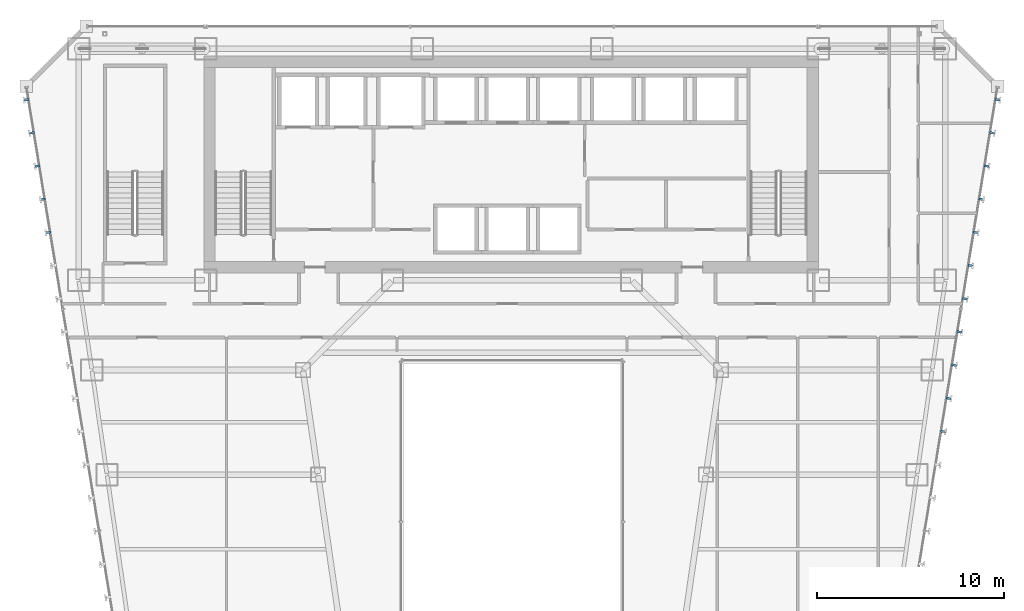
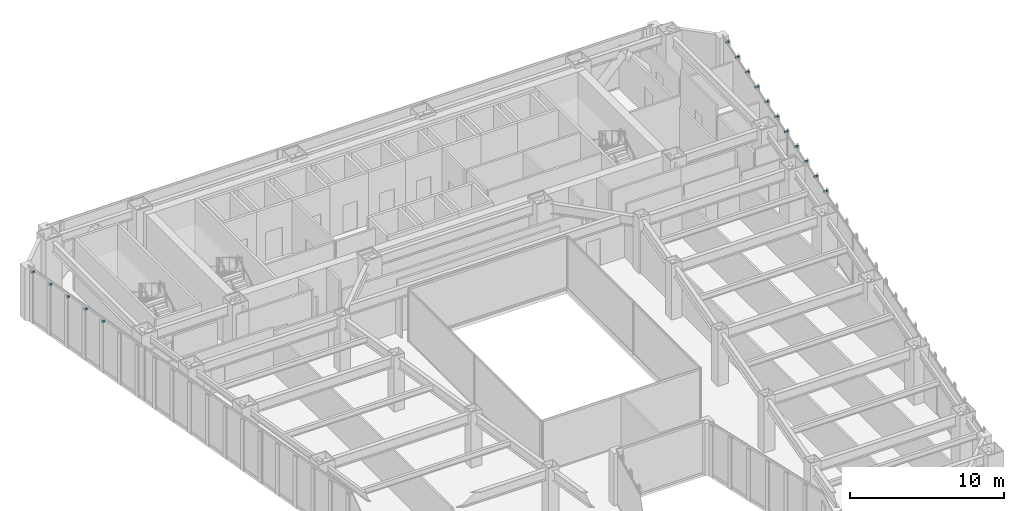
# One storey, part 40 of 47: 16 discrete accessories.
"""IFC4 building model written with IfcOpenShell, lengths in metres."""

from ifc_helpers import new_model, si_unit, direction, frame, origin, origin_2d, place, context, subcontext, project, spatial, rectangle, extrude, material, layer, layer_set, type_object, element, save


model = new_model("IFC4")

# Units and contexts
model_context = context("Model", 3, precision=1e-05, world=origin(), true_north=direction((0.0, 1.0)))
body_context = subcontext(model_context, "Body", "Model", "MODEL_VIEW")
ifc_project = project(units=[si_unit("LENGTHUNIT", "METRE"), si_unit("AREAUNIT", "SQUARE_METRE"), si_unit("VOLUMEUNIT", "CUBIC_METRE"), si_unit("PLANEANGLEUNIT", "RADIAN"), si_unit("MASSUNIT", "GRAM", prefix="KILO")], contexts=[model_context])

# Site, building, storey
site_placement = place(None, origin())
site = spatial("IfcSite", under=ifc_project, at=site_placement, CompositionType="ELEMENT")
building_placement = place(site_placement, origin())
building = spatial("IfcBuilding", under=site, at=building_placement, Name="Saevonmaru Cultural Tower", CompositionType="ELEMENT")
storey_placement = place(building_placement, frame((0.0, 0.0, 56.0)))
storey = spatial("IfcBuildingStorey", under=building, at=storey_placement, Name="L11", CompositionType="ELEMENT", Elevation=56.0)

# Discrete accessories
ifc_material = material(Name="Stainless Steel 316", Category="steel")
ifc_layer = layer(ifc_material, 0.1201171875, Name="Stainless Steel 316")
ifc_layer_set = layer_set([ifc_layer], Name="Stainless Steel 316")
discrete_accessory_type = type_object("IfcDiscreteAccessoryType", Name="ACC-FIN-BRKT", PredefinedType="BRACKET", material=ifc_layer_set)
for number, where, z_axis, x_axis, name in (
    (1, (53.081787109375, 34.31103515625, 3.929931640625), (0.0, 0.0, 1.0), (0.986827496189, -0.161776057456, 0.0), "L11 Bronze Fin Bracket E8-17"),
    (2, (53.372802734375, 36.08740234375, 3.929931640625), (0.0, 0.0, 1.0), (0.986827496189, -0.161776057456, 0.0), "L11 Bronze Fin Bracket E8-18"),
    (3, (53.663818359375, 37.86376953125, 3.929931640625), (0.0, 0.0, 1.0), (0.986827496189, -0.161776057456, 0.0), "L11 Bronze Fin Bracket E8-19"),
    (4, (53.955078125, 39.64013671875, 3.929931640625), (0.0, 0.0, 1.0), (0.986827496189, -0.161776057456, 0.0), "L11 Bronze Fin Bracket E8-20"),
    (5, (54.24609375, 41.41650390625, 3.929931640625), (0.0, 0.0, 1.0), (0.986827496189, -0.161776057456, 0.0), "L11 Bronze Fin Bracket E8-21"),
    (6, (54.537109375, 43.192626953125, 3.929931640625), (0.0, 0.0, 1.0), (0.986827496189, -0.161776057456, 0.0), "L11 Bronze Fin Bracket E8-22"),
    (7, (54.828125, 44.968994140625, 3.929931640625), (0.0, 0.0, 1.0), (0.986827496189, -0.161776057456, 0.0), "L11 Bronze Fin Bracket E8-23"),
    (8, (55.119384765625, 46.745361328125, 3.929931640625), (0.0, 0.0, 1.0), (0.986827496189, -0.161776057456, 0.0), "L11 Bronze Fin Bracket E8-24"),
    (9, (55.410400390625, 48.521484375, 3.929931640625), (0.0, 0.0, 1.0), (0.986827496189, -0.161776057456, 0.0), "L11 Bronze Fin Bracket E8-25"),
    (10, (55.701416015625, 50.2978515625, 3.929931640625), (0.0, 0.0, 1.0), (0.986827496189, -0.161776057456, 0.0), "L11 Bronze Fin Bracket E8-26"),
    (11, (55.992431640625, 52.07421875, 3.929931640625), (0.0, 0.0, 1.0), (0.986827496189, -0.161776057456, 0.0), "L11 Bronze Fin Bracket E8-27"),
    (12, (4.007568359375, 52.07421875, 3.929931640625), (0.0, 0.0, 1.0), (-0.986827496189, -0.161776057456, 0.0), "L11 Bronze Fin Bracket E12-01"),
    (13, (4.298583984375, 50.2978515625, 3.929931640625), (0.0, 0.0, 1.0), (-0.986827496189, -0.161776057456, 0.0), "L11 Bronze Fin Bracket E12-02"),
    (14, (4.589599609375, 48.521484375, 3.929931640625), (0.0, 0.0, 1.0), (-0.986827496189, -0.161776057456, 0.0), "L11 Bronze Fin Bracket E12-03"),
    (15, (4.880615234375, 46.745361328125, 3.929931640625), (0.0, 0.0, 1.0), (-0.986827496189, -0.161776057456, 0.0), "L11 Bronze Fin Bracket E12-04"),
    (16, (5.171875, 44.968994140625, 3.929931640625), (0.0, 0.0, 1.0), (-0.986827496189, -0.161776057456, 0.0), "L11 Bronze Fin Bracket E12-05"),
):
    element("IfcDiscreteAccessory", number, at=place(storey_placement, frame(where, z_axis=z_axis, x_axis=x_axis)), inside=storey, type_object=discrete_accessory_type, Name=name, PredefinedType="BRACKET", context=body_context, shape_type="SweptSolid", body=[
        extrude(rectangle(XDim=0.260009765625, YDim=0.1201171875, at=origin_2d()), origin(), (0.0, 0.0, 1.0), 0.1201171875),
    ])

save(model, "model.ifc")
